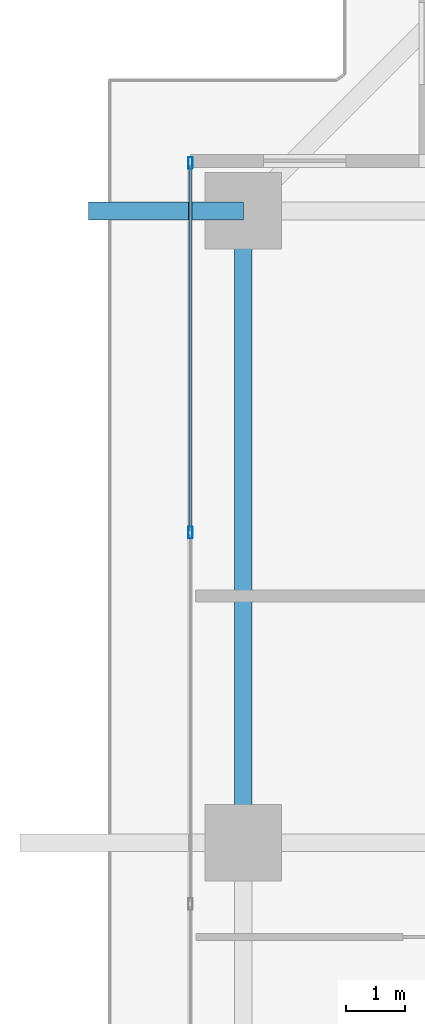
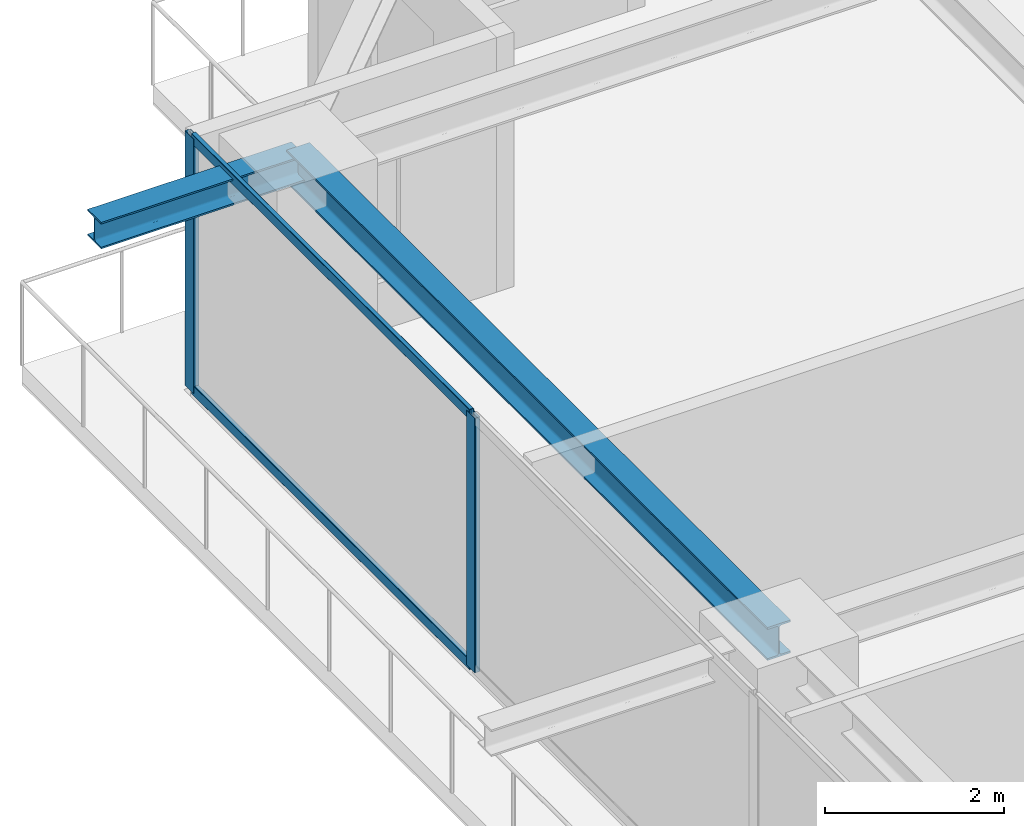
# One storey, part 15 of 34: 4 members, 2 beams, 1 element without a shape of its own.
"""IFC4 building model written with IfcOpenShell, lengths in metres."""

import ifcopenshell
import ifcopenshell.guid

model = None  # the IFC model being written
_history = None  # IfcOwnerHistory: only IFC2X3 demands one
_inside = {}  # id of a spatial element -> (the spatial element, [elements in it])
_under = {}  # id of a project, library or spatial element -> (it, [spatial elements below it])
_declared = {}  # id of a project -> (the project, [libraries it declares])
_typed = {}  # id of a type object -> (the type object, [elements of that type])
_made_of = {}  # id of a material, layer set ... -> (it, [elements and type objects made of it])


def new_model(schema):
    """Start an empty IFC model of exactly this schema.

    Asked for "IFC4X3", IfcOpenShell would pick the latest addendum, in which some entities
    have other attributes; the version numbers below select the first issue.
    IFC2X3 requires an IfcOwnerHistory on every rooted entity: one is made here for all.
    """
    global model, _history
    if schema == "IFC4X3":
        model = ifcopenshell.file(schema_version=(4, 3, 0, 0))
    else:
        model = ifcopenshell.file(schema=schema)
    _inside.clear()
    _under.clear()
    _declared.clear()
    _typed.clear()
    _made_of.clear()
    _history = None
    if model.schema == "IFC2X3":
        org = make("IfcOrganization", Name="unknown")
        user = make(
            "IfcPersonAndOrganization",
            ThePerson=make("IfcPerson", FamilyName="unknown"),
            TheOrganization=org,
        )
        app = make(
            "IfcApplication",
            ApplicationDeveloper=org,
            Version="unknown",
            ApplicationFullName="unknown",
            ApplicationIdentifier="unknown",
        )
        _history = make(
            "IfcOwnerHistory",
            OwningUser=user,
            OwningApplication=app,
            ChangeAction="ADDED",
            CreationDate=0,
        )
    return model


def make(cls, **values):
    """One entity of the class cls with the attributes given. An attribute that is None is left unset."""
    return model.create_entity(
        cls, **{name: value for name, value in values.items() if value is not None}
    )


def rooted(cls, **values):
    """An entity with a GlobalId (a new one), such as an element, a storey or a relation."""
    return make(cls, GlobalId=ifcopenshell.guid.new(), OwnerHistory=_history, **values)


def si_unit(unit_type, name, prefix=None):
    """IfcSIUnit, for example si_unit("LENGTHUNIT", "METRE", prefix="MILLI")."""
    return make("IfcSIUnit", UnitType=unit_type, Prefix=prefix, Name=name)


def assignment(units):
    """IfcUnitAssignment: the units of a project."""
    return None if units is None else make("IfcUnitAssignment", Units=units)


def point(xyz):
    """IfcCartesianPoint."""
    return None if xyz is None else make("IfcCartesianPoint", Coordinates=xyz)


def direction(xyz):
    """IfcDirection."""
    return None if xyz is None else make("IfcDirection", DirectionRatios=xyz)


def frame(location, z_axis=None, x_axis=None):
    """IfcAxis2Placement3D, a coordinate frame: its origin and axes. An axis left out is left unset."""
    return make(
        "IfcAxis2Placement3D",
        Location=point(location),
        Axis=direction(z_axis),
        RefDirection=direction(x_axis),
    )


def frame_2d(location, x_axis=None):
    """IfcAxis2Placement2D, a coordinate frame in the plane: its origin and x axis."""
    return make(
        "IfcAxis2Placement2D", Location=point(location), RefDirection=direction(x_axis)
    )


def origin():
    """The frame at (0, 0, 0) with its axes left unset."""
    return frame((0.0, 0.0, 0.0))


def origin_2d():
    """The frame at (0, 0) in the plane with its x axis left unset."""
    return frame_2d((0.0, 0.0))


def place(relative_to, where):
    """IfcLocalPlacement: puts the frame where relative to a parent placement (None: the world)."""
    return make(
        "IfcLocalPlacement", PlacementRelTo=relative_to, RelativePlacement=where
    )


def context(
    kind, dimensions, precision=None, world=None, true_north=None, identifier=None
):
    """IfcGeometricRepresentationContext, for example the 3D "Model" context."""
    return make(
        "IfcGeometricRepresentationContext",
        ContextIdentifier=identifier,
        ContextType=kind,
        CoordinateSpaceDimension=dimensions,
        Precision=precision,
        WorldCoordinateSystem=world,
        TrueNorth=true_north,
    )


def subcontext(parent, identifier, kind, view, scale=None):
    """IfcGeometricRepresentationSubContext, for example "Body" below "Model"."""
    return make(
        "IfcGeometricRepresentationSubContext",
        ContextIdentifier=identifier,
        ContextType=kind,
        ParentContext=parent,
        TargetScale=scale,
        TargetView=view,
    )


def project(units=None, contexts=None):
    """IfcProject with its units and contexts."""
    return rooted(
        "IfcProject",
        Name="project",
        RepresentationContexts=contexts,
        UnitsInContext=assignment(units),
    )


def spatial(cls, under=None, at=None, **own):
    """A site, building, storey or space (cls), placed at a placement, below another one or the project."""
    s = rooted(cls, ObjectPlacement=at, **own)
    if under is not None:
        _under.setdefault(under.id(), (under, []))[1].append(s)
    return s


def profile(cls, at=None, kind="AREA", **sizes):
    """A parametric profile (cls). Its sizes go by their IFC names, for example OverallWidth=200.0."""
    return make(cls, ProfileType=kind, Position=at, **sizes)


def hollow_rectangle(**sizes):
    """IfcRectangleHollowProfileDef."""
    return profile("IfcRectangleHollowProfileDef", **sizes)


def i_section(**sizes):
    """IfcIShapeProfileDef."""
    return profile("IfcIShapeProfileDef", **sizes)


def extrude(swept, where, along, depth):
    """IfcExtrudedAreaSolid: the profile swept, set in the frame where, extruded along a direction by depth."""
    return make(
        "IfcExtrudedAreaSolid",
        SweptArea=swept,
        Position=where,
        ExtrudedDirection=direction(along),
        Depth=depth,
    )


def shape(context_of_items, identifier, shape_type, items):
    """IfcShapeRepresentation: the items that make up one representation, for example the "Body"."""
    return make(
        "IfcShapeRepresentation",
        ContextOfItems=context_of_items,
        RepresentationIdentifier=identifier,
        RepresentationType=shape_type,
        Items=items,
    )


def source(mapping_origin, context_of_items, identifier, shape_type, items):
    """IfcRepresentationMap: a shape defined once, which mapped items show again and again."""
    return make(
        "IfcRepresentationMap",
        MappingOrigin=mapping_origin,
        MappedRepresentation=shape(context_of_items, identifier, shape_type, items),
    )


def transform(
    local_origin,
    x_axis=None,
    y_axis=None,
    z_axis=None,
    scale=None,
    scale2=None,
    scale3=None,
    uniform=True,
):
    """IfcCartesianTransformationOperator3D, or its non-uniform kind. x_axis, y_axis, z_axis: its Axis1, 2, 3."""
    if uniform:
        return make(
            "IfcCartesianTransformationOperator3D",
            Axis1=direction(x_axis),
            Axis2=direction(y_axis),
            LocalOrigin=point(local_origin),
            Scale=scale,
            Axis3=direction(z_axis),
        )
    return make(
        "IfcCartesianTransformationOperator3DnonUniform",
        Axis1=direction(x_axis),
        Axis2=direction(y_axis),
        LocalOrigin=point(local_origin),
        Scale=scale,
        Axis3=direction(z_axis),
        Scale2=scale2,
        Scale3=scale3,
    )


def mapped(mapping_source, mapping_target):
    """IfcMappedItem: shows the shape of a source again, moved by a transform."""
    return make(
        "IfcMappedItem", MappingSource=mapping_source, MappingTarget=mapping_target
    )


def material(Name=None, Category=None):
    """IfcMaterial."""
    return make("IfcMaterial", Name=Name, Category=Category)


def layer(
    of_material, thickness, ventilated=None, Name=None, Category=None, Priority=None
):
    """IfcMaterialLayer: one layer of a wall or slab, of a material (None: an air gap)."""
    return make(
        "IfcMaterialLayer",
        Material=of_material,
        LayerThickness=thickness,
        IsVentilated=ventilated,
        Name=Name,
        Category=Category,
        Priority=Priority,
    )


def layer_set(layers, Name=None):
    """IfcMaterialLayerSet."""
    return make("IfcMaterialLayerSet", MaterialLayers=layers, LayerSetName=Name)


def material_profile(
    of_material, cross_section, Name=None, Category=None, Priority=None
):
    """IfcMaterialProfile: a cross section and its material."""
    return make(
        "IfcMaterialProfile",
        Name=Name,
        Material=of_material,
        Profile=cross_section,
        Priority=Priority,
        Category=Category,
    )


def profile_set(profiles, Name=None, composite=None):
    """IfcMaterialProfileSet."""
    return make(
        "IfcMaterialProfileSet",
        Name=Name,
        MaterialProfiles=profiles,
        CompositeProfile=composite,
    )


def made_of(thing, what):
    """Note that an element or type object is made of a material, layer set ...; save() writes the relation."""
    if what is not None:
        _made_of.setdefault(what.id(), (what, []))[1].append(thing)
    return thing


def type_object(cls, material=None, **own):
    """A type object (cls), such as IfcWallType, which elements share."""
    return made_of(rooted(cls, **own), material)


def element(
    cls,
    number,
    at=None,
    inside=None,
    cuts=None,
    type_object=None,
    material=None,
    context=None,
    identifier="Body",
    shape_type=None,
    held_by="IfcProductDefinitionShape",
    body=None,
    shapes=None,
    **own,
):
    """One element of the class cls, such as IfcWall. Its Tag is "e" and its number.

    at: its placement. inside: the storey or other place that contains it. cuts: it is an
    opening in that element (IfcRelVoidsElement). A single representation is given by context,
    identifier, shape_type and body (its items); several are given by shapes. held_by: the class
    of the entity that holds the representations. save() writes the other relations.
    """
    e = rooted(cls, Tag="e%d" % number, ObjectPlacement=at, **own)
    if body is not None:
        shapes = [shape(context, identifier, shape_type, body)]
    if shapes is not None:
        e.Representation = make(held_by, Representations=shapes)
    if inside is not None:
        _inside.setdefault(inside.id(), (inside, []))[1].append(e)
    if cuts is not None:
        rooted(
            "IfcRelVoidsElement", RelatingBuildingElement=cuts, RelatedOpeningElement=e
        )
    if type_object is not None:
        _typed.setdefault(type_object.id(), (type_object, []))[1].append(e)
    return made_of(e, material)


def aggregate(whole, parts):
    """IfcRelAggregates: a whole, such as a stair, and the parts it consists of."""
    return rooted("IfcRelAggregates", RelatingObject=whole, RelatedObjects=parts)


def save(model, path):
    """Write the relations noted so far, then the file.

    IfcRelAggregates (storeys below a building ...), IfcRelContainedInSpatialStructure (elements
    in a storey), IfcRelDefinesByType, IfcRelAssociatesMaterial and IfcRelDeclares: one each for
    every whole, place, type object, material and project.
    """
    for whole, parts in _under.values():
        aggregate(whole, parts)
    for where, things in _inside.values():
        rooted(
            "IfcRelContainedInSpatialStructure",
            RelatedElements=things,
            RelatingStructure=where,
        )
    for kind, things in _typed.values():
        rooted("IfcRelDefinesByType", RelatedObjects=things, RelatingType=kind)
    for what, things in _made_of.values():
        rooted("IfcRelAssociatesMaterial", RelatedObjects=things, RelatingMaterial=what)
    for by, libraries in _declared.values():
        rooted("IfcRelDeclares", RelatingContext=by, RelatedDefinitions=libraries)
    model.write(path)


model = new_model("IFC4")

# Units and contexts
model_context = context("Model", 3, precision=1e-05, world=origin(), true_north=direction((0.0, 1.0)))
body_context = subcontext(model_context, "Body", "Model", "MODEL_VIEW")
ifc_project = project(units=[si_unit("LENGTHUNIT", "METRE"), si_unit("AREAUNIT", "SQUARE_METRE"), si_unit("VOLUMEUNIT", "CUBIC_METRE"), si_unit("PLANEANGLEUNIT", "RADIAN"), si_unit("MASSUNIT", "GRAM", prefix="KILO")], contexts=[model_context])

# Site, building, storey
site_placement = place(None, origin())
site = spatial("IfcSite", under=ifc_project, at=site_placement, CompositionType="ELEMENT")
building_placement = place(site_placement, origin())
building = spatial("IfcBuilding", under=site, at=building_placement, Name="Serunith Strait Residences", CompositionType="ELEMENT")
storey_placement = place(building_placement, frame((0.0, 0.0, 180.14990234375)))
storey = spatial("IfcBuildingStorey", under=building, at=storey_placement, Name="L45", CompositionType="ELEMENT", Elevation=180.14990234375)

# Beams
ifc_material_1 = material(Name="Steel S355J2", Category="steel")
ifc_material_profile_1 = material_profile(ifc_material_1, i_section(OverallWidth=0.300048828125, OverallDepth=0.449951171875, WebThickness=0.013916015625, FlangeThickness=0.02587890625, FilletRadius=0.027099609375, at=origin_2d()), Name="HEB 450")
ifc_profile_set_1 = profile_set([ifc_material_profile_1], Name="Steel S355J2")
beam_type_1 = type_object("IfcBeamType", Name="BM-HEB450", PredefinedType="BEAM", material=ifc_profile_set_1)
shared_shape_1 = source(origin(), body_context, "Body", "SweptSolid", [
    extrude(i_section(OverallWidth=0.300048828125, OverallDepth=0.449951171875, WebThickness=0.013916015625, FlangeThickness=0.02587890625, FilletRadius=0.027099609375, at=origin_2d()), origin(), (0.0, 0.0, 1.0), 10.75),
])
beam_1_placement = place(storey_placement, frame((8.699951171875, 40.14990234375, 3.26220703125), z_axis=(0.0, -1.0, 0.0), x_axis=(1.0, 0.0, 0.0)))
element("IfcBeam", 1, at=beam_1_placement, inside=storey, type_object=beam_type_1, Name="L45 Perimeter Ring Beam 13", PredefinedType="BEAM", context=body_context, shape_type="MappedRepresentation", body=[
    mapped(shared_shape_1, transform((0.0, 0.0, 0.0), scale=1.0)),
])
ifc_material_profile_2 = material_profile(ifc_material_1, i_section(OverallWidth=0.300048828125, OverallDepth=0.360107421875, WebThickness=0.012451171875, FlangeThickness=0.0224609375, FilletRadius=0.027099609375, at=origin_2d()), Name="HEB 360")
ifc_profile_set_2 = profile_set([ifc_material_profile_2], Name="Steel S355J2")
beam_type_2 = type_object("IfcBeamType", Name="BM-HEB360", PredefinedType="BEAM", material=ifc_profile_set_2)
shared_shape_2 = source(origin(), body_context, "Body", "SweptSolid", [
    extrude(i_section(OverallWidth=0.300048828125, OverallDepth=0.360107421875, WebThickness=0.012451171875, FlangeThickness=0.0224609375, FilletRadius=0.027099609375, at=origin_2d()), origin(), (0.0, 0.0, 1.0), 2.630859375),
])
beam_2_placement = place(storey_placement, frame((8.699951171875, 40.14990234375, 3.277099609375), z_axis=(-1.0, 0.0, 0.0), x_axis=(0.0, -1.0, 0.0)))
element("IfcBeam", 2, at=beam_2_placement, inside=storey, type_object=beam_type_2, Name="L46 Cantilevered Balcony Rib TC-W4", PredefinedType="BEAM", context=body_context, shape_type="MappedRepresentation", body=[
    mapped(shared_shape_2, transform((0.0, 0.0, 0.0), scale=1.0)),
])

# Curtain wall, members
ifc_material_2 = material(Name="Pale-Champagne Anodised Aluminium", Category="aluminium")
ifc_layer = layer(ifc_material_2, 0.199951171875, Name="Pale-Champagne Anodised Aluminium")
ifc_layer_set = layer_set([ifc_layer], Name="Pale-Champagne Anodised Aluminium")
curtain_wall_type = type_object("IfcCurtainWallType", Name="CW-SYS2", PredefinedType="NOTDEFINED", material=ifc_layer_set)
curtain_wall_placement = place(storey_placement, origin())
curtain_wall = element("IfcCurtainWall", 3, at=curtain_wall_placement, inside=storey, type_object=curtain_wall_type, Name="L45 W Unitised Fritted Curtain Wall", PredefinedType="NOTDEFINED")
ifc_material_profile_3 = material_profile(ifc_material_2, hollow_rectangle(XDim=0.070068359375, YDim=0.199951171875, WallThickness=0.00390625, InnerFilletRadius=0.006103515625, OuterFilletRadius=0.010009765625, at=origin_2d()), Name="ALU 200x70x4")
ifc_profile_set_3 = profile_set([ifc_material_profile_3], Name="Pale-Champagne Anodised Aluminium")
member_type_1 = type_object("IfcMemberType", Name="CW-SYS2-MULL", PredefinedType="MULLION", material=ifc_profile_set_3)
shared_shape_3 = source(origin(), body_context, "Body", "SweptSolid", [
    extrude(hollow_rectangle(XDim=0.070068359375, YDim=0.199951171875, WallThickness=0.00390625, InnerFilletRadius=0.006103515625, OuterFilletRadius=0.010009765625, at=origin_2d()), origin(), (0.0, 0.0, 1.0), 3.47509765625),
])
member_1_placement = place(storey_placement, frame((7.800048828125, 40.965087890625, 0.0), z_axis=(0.0, 0.0, 1.0), x_axis=(1.0, 0.0, 0.0)))
member_1 = element("IfcMember", 4, at=member_1_placement, type_object=member_type_1, Name="CW-2 mullion 1", PredefinedType="MULLION", context=body_context, shape_type="MappedRepresentation", body=[
    mapped(shared_shape_3, transform((0.0, 0.0, 0.0), scale=1.0)),
])
member_2_placement = place(storey_placement, frame((7.800048828125, 34.679931640625, 0.0), z_axis=(0.0, 0.0, 1.0), x_axis=(1.0, 0.0, 0.0)))
member_2 = element("IfcMember", 5, at=member_2_placement, type_object=member_type_1, Name="CW-2 mullion 2", PredefinedType="MULLION", context=body_context, shape_type="MappedRepresentation", body=[
    mapped(shared_shape_3, transform((0.0, 0.0, 0.0), scale=1.0)),
])
ifc_material_profile_4 = material_profile(ifc_material_2, hollow_rectangle(XDim=0.06005859375, YDim=0.139892578125, WallThickness=0.00341796875, InnerFilletRadius=0.00537109375, OuterFilletRadius=0.0087890625, at=origin_2d()), Name="ALU 140x60x3.5")
ifc_profile_set_4 = profile_set([ifc_material_profile_4], Name="Pale-Champagne Anodised Aluminium")
member_type_2 = type_object("IfcMemberType", Name="CW-SYS2-TRAN", PredefinedType="USERDEFINED", material=ifc_profile_set_4)
shared_shape_4 = source(origin(), body_context, "Body", "SweptSolid", [
    extrude(hollow_rectangle(XDim=0.06005859375, YDim=0.139892578125, WallThickness=0.00341796875, InnerFilletRadius=0.00537109375, OuterFilletRadius=0.0087890625, at=origin_2d()), origin(), (0.0, 0.0, 1.0), 6.21484375),
])
member_3_placement = place(storey_placement, frame((7.800048828125, 40.929931640625, 0.030029296875), z_axis=(0.0, -1.0, 0.0), x_axis=(1.0, 0.0, 0.0)))
member_3 = element("IfcMember", 6, at=member_3_placement, type_object=member_type_2, Name="CW-2 transom 1.1", ObjectType="TRANSOM", PredefinedType="USERDEFINED", context=body_context, shape_type="MappedRepresentation", body=[
    mapped(shared_shape_4, transform((0.0, 0.0, 0.0), scale=1.0)),
])
member_4_placement = place(storey_placement, frame((7.800048828125, 40.929931640625, 3.445068359375), z_axis=(0.0, -1.0, 0.0), x_axis=(1.0, 0.0, 0.0)))
member_4 = element("IfcMember", 7, at=member_4_placement, type_object=member_type_2, Name="CW-2 transom 1.2", ObjectType="TRANSOM", PredefinedType="USERDEFINED", context=body_context, shape_type="MappedRepresentation", body=[
    mapped(shared_shape_4, transform((0.0, 0.0, 0.0), scale=1.0)),
])
aggregate(curtain_wall, [member_1, member_2, member_3, member_4])

save(model, "model.ifc")
